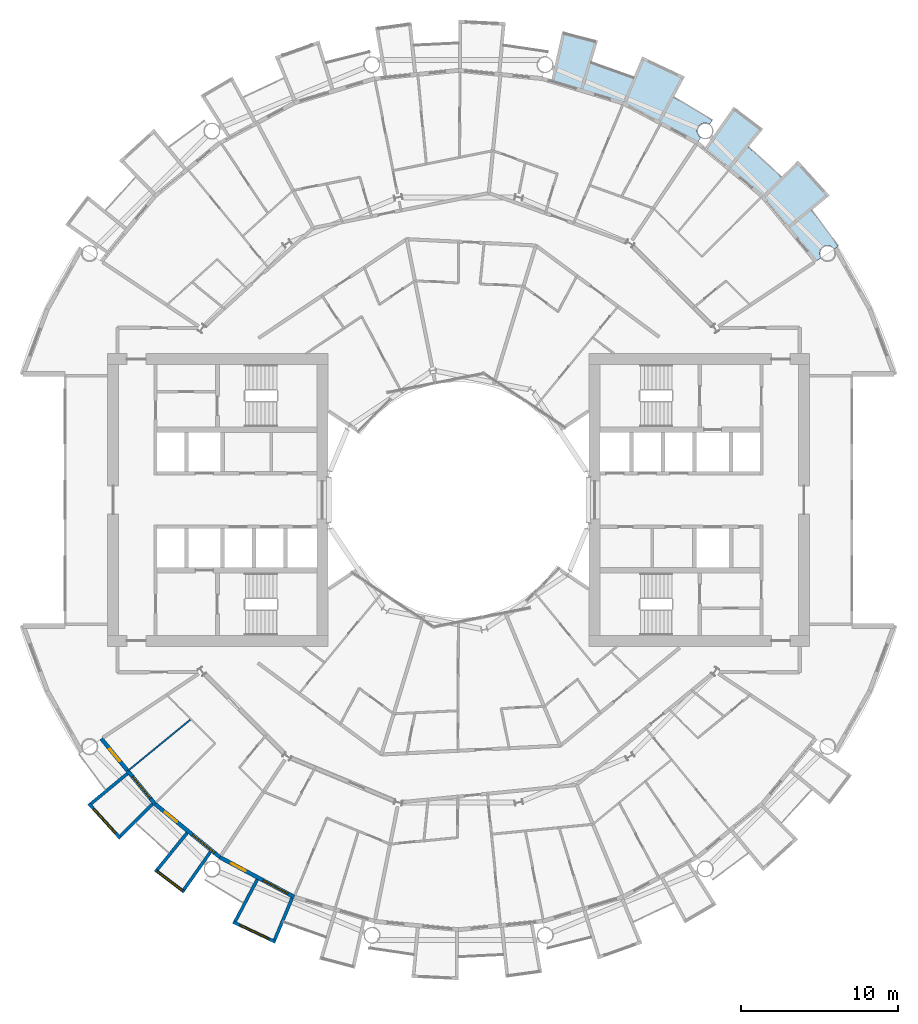
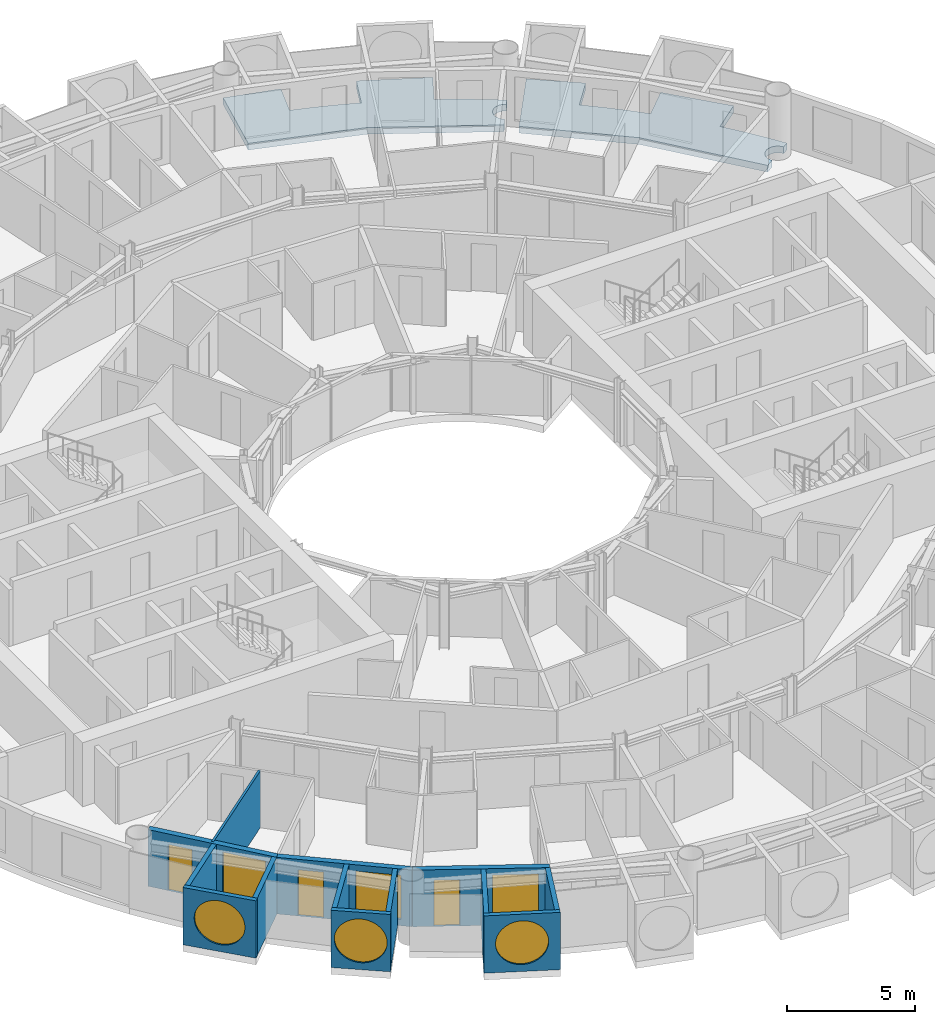
# One storey, part 12 of 26: 13 walls, 6 windows, 3 doors, 2 slabs, 9 openings.
"""IFC4 building model written with IfcOpenShell, lengths in metres."""

from ifc_helpers import new_model, si_unit, direction, frame, frame_2d, origin, place, context, subcontext, project, spatial, polyline, rectangle, circle, outline, extrude, material, layer, layer_set, type_object, element, fill, save


model = new_model("IFC4")

# Units and contexts
model_context = context("Model", 3, precision=1e-05, world=origin(), true_north=direction((0.0, 1.0)))
body_context = subcontext(model_context, "Body", "Model", "MODEL_VIEW")
ifc_project = project(units=[si_unit("LENGTHUNIT", "METRE"), si_unit("AREAUNIT", "SQUARE_METRE"), si_unit("VOLUMEUNIT", "CUBIC_METRE"), si_unit("PLANEANGLEUNIT", "RADIAN"), si_unit("MASSUNIT", "GRAM", prefix="KILO")], contexts=[model_context])

# Site, building, storey
site_placement = place(None, origin())
site = spatial("IfcSite", under=ifc_project, at=site_placement, CompositionType="ELEMENT")
building_placement = place(site_placement, origin())
building = spatial("IfcBuilding", under=site, at=building_placement, Name="Maasbend Ring Residences", CompositionType="ELEMENT")
storey_placement = place(building_placement, frame((0.0, 0.0, 63.60009765625)))
storey = spatial("IfcBuildingStorey", under=building, at=storey_placement, Name="L17", CompositionType="ELEMENT", Elevation=63.60009765625)

# Slabs
ifc_material_1 = material(Name="Concrete C40/50", Category="concrete")
ifc_layer_1 = layer(ifc_material_1, 0.199951171875)
ifc_layer_set_1 = layer_set([ifc_layer_1], Name="Concrete C40/50")
slab_type = type_object("IfcSlabType", Name="SL-LOGGIA", PredefinedType="FLOOR", material=ifc_layer_set_1)
slab_1_placement = place(storey_placement, frame((0.0, 0.0, -0.35009765625)))
element("IfcSlab", 1, at=slab_1_placement, inside=storey, type_object=slab_type, Name="Loggia floor 1", PredefinedType="FLOOR", context=body_context, shape_type="SweptSolid", body=[
    extrude(outline(polyline([(8.85400390625, 29.18701171875), (8.85400390625, 29.18701171875), (8.85400390625, 29.18701171875), (8.41796875, 27.751953125), (8.41796875, 27.751953125), (8.41796875, 27.751953125), (8.41796875, 27.751953125), (8.41796875, 27.751953125), (8.41796875, 27.751953125), (8.41796875, 27.7509765625), (8.41796875, 27.7509765625), (8.41796875, 27.7509765625), (8.41796875, 27.7509765625), (8.41796875, 27.7509765625), (8.4189453125, 27.7509765625), (8.4189453125, 27.7509765625), (8.4189453125, 27.7509765625), (8.4189453125, 27.7509765625), (8.4189453125, 27.7509765625), (8.4189453125, 27.7509765625), (9.322021484375, 27.4609375), (9.322021484375, 27.4609375), (10.215087890625, 27.14111328125), (10.215087890625, 27.14111328125), (11.096923828125, 26.79296875), (11.096923828125, 26.79296875), (11.096923828125, 26.79296875), (11.097900390625, 26.79296875), (11.097900390625, 26.79296875), (11.097900390625, 26.79296875), (11.097900390625, 26.79296875), (11.097900390625, 26.79296875), (11.097900390625, 26.79296875), (11.097900390625, 26.79296875), (11.097900390625, 26.79296875), (11.097900390625, 26.79296875), (11.097900390625, 26.79296875), (11.097900390625, 26.79296875), (11.097900390625, 26.79296875), (11.097900390625, 26.79296875), (11.097900390625, 26.79296875), (11.672119140625, 28.177978515625), (11.672119140625, 28.177978515625), (11.672119140625, 28.177978515625), (14.3779296875, 26.89892578125), (14.3779296875, 26.89892578125), (14.3779296875, 26.89892578125), (13.6708984375, 25.575927734375), (13.6708984375, 25.575927734375), (13.6708984375, 25.575927734375), (13.6708984375, 25.575927734375), (13.6708984375, 25.575927734375), (13.6708984375, 25.575927734375), (13.6708984375, 25.575927734375), (13.6708984375, 25.575927734375), (13.6708984375, 25.575927734375), (13.6708984375, 25.575927734375), (13.6708984375, 25.575927734375), (13.6708984375, 25.575927734375), (13.6708984375, 25.575927734375), (13.6708984375, 25.575927734375), (13.6708984375, 25.575927734375), (13.6708984375, 25.575927734375), (13.6708984375, 25.574951171875), (14.5, 25.114990234375), (14.5, 25.114990234375), (15.31396484375, 24.626953125), (15.31396484375, 24.626953125), (16.112060546875, 24.113037109375), (16.112060546875, 24.113037109375), (16.112060546875, 24.113037109375), (15.948974609375, 23.8701171875), (15.93896484375, 23.876953125), (15.927978515625, 23.883056640625), (15.9169921875, 23.888916015625), (15.906982421875, 23.89501953125), (15.89599609375, 23.90087890625), (15.884033203125, 23.906982421875), (15.873046875, 23.912109375), (15.862060546875, 23.9169921875), (15.85009765625, 23.9208984375), (15.837890625, 23.926025390625), (15.825927734375, 23.929931640625), (15.81494140625, 23.93408203125), (15.802978515625, 23.93701171875), (15.791015625, 23.93994140625), (15.778076171875, 23.943115234375), (15.76611328125, 23.946044921875), (15.75390625, 23.947998046875), (15.741943359375, 23.949951171875), (15.72900390625, 23.951904296875), (15.717041015625, 23.952880859375), (15.7041015625, 23.9541015625), (15.69189453125, 23.955078125), (15.679931640625, 23.955078125), (15.6669921875, 23.955078125), (15.655029296875, 23.955078125), (15.64208984375, 23.955078125), (15.6298828125, 23.9541015625), (15.616943359375, 23.952880859375), (15.60498046875, 23.951904296875), (15.593017578125, 23.949951171875), (15.580078125, 23.947998046875), (15.568115234375, 23.946044921875), (15.555908203125, 23.943115234375), (15.5439453125, 23.93994140625), (15.531982421875, 23.93701171875), (15.52001953125, 23.93408203125), (15.508056640625, 23.929931640625), (15.49609375, 23.926025390625), (15.48388671875, 23.9208984375), (15.472900390625, 23.9169921875), (15.4609375, 23.912109375), (15.449951171875, 23.906982421875), (15.43896484375, 23.90087890625), (15.427978515625, 23.89501953125), (15.4169921875, 23.888916015625), (15.406005859375, 23.883056640625), (15.39501953125, 23.876953125), (15.385009765625, 23.8701171875), (15.375, 23.863037109375), (15.364013671875, 23.85498046875), (15.35498046875, 23.847900390625), (15.344970703125, 23.840087890625), (15.3349609375, 23.83203125), (15.325927734375, 23.823974609375), (15.31689453125, 23.81494140625), (15.30810546875, 23.806884765625), (15.299072265625, 23.798095703125), (15.291015625, 23.7890625), (15.281982421875, 23.779052734375), (15.27392578125, 23.77001953125), (15.26708984375, 23.760009765625), (15.259033203125, 23.75), (15.251953125, 23.739990234375), (15.2451171875, 23.72998046875), (15.238037109375, 23.718994140625), (15.23095703125, 23.708984375), (15.22509765625, 23.697998046875), (15.218994140625, 23.68701171875), (15.212890625, 23.676025390625), (15.2080078125, 23.6650390625), (15.202880859375, 23.653076171875), (15.197998046875, 23.64208984375), (15.193115234375, 23.6298828125), (15.18896484375, 23.618896484375), (15.18505859375, 23.60693359375), (15.180908203125, 23.594970703125), (15.177978515625, 23.5830078125), (15.174072265625, 23.571044921875), (15.1708984375, 23.55908203125), (15.1689453125, 23.547119140625), (15.1669921875, 23.533935546875), (15.1650390625, 23.52197265625), (15.1630859375, 23.510009765625), (15.162109375, 23.4970703125), (15.159912109375, 23.485107421875), (15.159912109375, 23.471923828125), (15.158935546875, 23.4599609375), (15.158935546875, 23.447021484375), (15.158935546875, 23.43505859375), (15.159912109375, 23.422119140625), (15.159912109375, 23.409912109375), (15.162109375, 23.39794921875), (15.1630859375, 23.385009765625), (15.1650390625, 23.373046875), (15.1669921875, 23.361083984375), (15.1689453125, 23.347900390625), (15.1708984375, 23.3359375), (15.174072265625, 23.323974609375), (15.177978515625, 23.31201171875), (15.180908203125, 23.300048828125), (15.18505859375, 23.2880859375), (15.18896484375, 23.27587890625), (15.193115234375, 23.264892578125), (15.197998046875, 23.2529296875), (15.202880859375, 23.241943359375), (15.2080078125, 23.22998046875), (15.212890625, 23.218994140625), (15.218994140625, 23.2080078125), (15.22509765625, 23.197021484375), (15.23095703125, 23.18603515625), (15.238037109375, 23.176025390625), (15.2451171875, 23.1650390625), (15.251953125, 23.155029296875), (15.259033203125, 23.14501953125), (15.26708984375, 23.135009765625), (15.27392578125, 23.125), (15.281982421875, 23.115966796875), (15.291015625, 23.10595703125), (15.299072265625, 23.096923828125), (15.30810546875, 23.087890625), (15.31689453125, 23.0791015625), (15.325927734375, 23.071044921875), (15.3349609375, 23.06298828125), (15.344970703125, 23.054931640625), (15.35498046875, 23.047119140625), (15.364013671875, 23.0390625), (15.375, 23.031982421875), (15.385009765625, 23.02490234375), (15.1669921875, 22.698974609375), (15.1669921875, 22.698974609375), (15.1669921875, 22.698974609375), (12.806884765625, 23.9609375), (10.447021484375, 25.221923828125), (10.447021484375, 25.221923828125), (10.447021484375, 25.221923828125), (7.886962890625, 25.9990234375), (5.89111328125, 26.60400390625), (5.89111328125, 26.60400390625), (5.89111328125, 26.60400390625), (6.593994140625, 29.779052734375), (6.593994140625, 29.779052734375), (6.593994140625, 29.779052734375), (8.85400390625, 29.18701171875)])), origin(), (0.0, 0.0, 1.0), 0.320068359375),
])
slab_2_placement = place(storey_placement, frame((0.0, 0.0, -0.35009765625)))
element("IfcSlab", 2, at=slab_2_placement, inside=storey, type_object=slab_type, Name="Loggia floor 4", PredefinedType="FLOOR", context=body_context, shape_type="SweptSolid", body=[
    extrude(outline(polyline([(19.34912109375, 23.576904296875), (19.34912109375, 23.576904296875), (19.34912109375, 23.576904296875), (18.39794921875, 22.41796875), (18.39794921875, 22.41796875), (18.39794921875, 22.41796875), (18.39794921875, 22.41796875), (18.39794921875, 22.41796875), (18.39794921875, 22.4169921875), (18.39794921875, 22.4169921875), (18.39794921875, 22.4169921875), (18.39794921875, 22.4169921875), (18.39794921875, 22.4169921875), (18.39794921875, 22.4169921875), (18.39794921875, 22.4169921875), (18.39794921875, 22.4169921875), (18.39794921875, 22.4169921875), (18.39794921875, 22.4169921875), (18.39794921875, 22.4169921875), (18.39794921875, 22.4169921875), (19.12109375, 21.802978515625), (19.12109375, 21.802978515625), (19.823974609375, 21.166015625), (19.823974609375, 21.166015625), (20.506103515625, 20.506103515625), (20.506103515625, 20.506103515625), (20.506103515625, 20.506103515625), (20.506103515625, 20.506103515625), (20.506103515625, 20.506103515625), (20.506103515625, 20.506103515625), (20.506103515625, 20.506103515625), (20.506103515625, 20.506103515625), (20.506103515625, 20.506103515625), (20.506103515625, 20.506103515625), (20.506103515625, 20.506103515625), (20.506103515625, 20.506103515625), (20.506103515625, 20.506103515625), (20.506103515625, 20.506103515625), (20.506103515625, 20.506103515625), (20.506103515625, 20.506103515625), (20.506103515625, 20.506103515625), (21.56689453125, 21.56689453125), (21.56689453125, 21.56689453125), (21.56689453125, 21.56689453125), (23.576904296875, 19.34912109375), (23.576904296875, 19.34912109375), (23.576904296875, 19.34912109375), (22.41796875, 18.39794921875), (22.41796875, 18.39794921875), (22.41796875, 18.39794921875), (22.41796875, 18.39794921875), (22.41796875, 18.39794921875), (22.41796875, 18.39794921875), (22.41796875, 18.39697265625), (22.41796875, 18.39697265625), (22.41796875, 18.39697265625), (22.41796875, 18.39697265625), (22.41796875, 18.39697265625), (22.41796875, 18.39697265625), (22.41796875, 18.39697265625), (22.41796875, 18.39697265625), (22.41796875, 18.39697265625), (22.41796875, 18.39697265625), (22.41796875, 18.39697265625), (23.007080078125, 17.654052734375), (23.007080078125, 17.654052734375), (23.572998046875, 16.89208984375), (23.572998046875, 16.89208984375), (24.113037109375, 16.112060546875), (24.113037109375, 16.112060546875), (24.113037109375, 16.112060546875), (23.8701171875, 15.948974609375), (23.8701171875, 15.948974609375), (23.863037109375, 15.9599609375), (23.85498046875, 15.969970703125), (23.847900390625, 15.97998046875), (23.840087890625, 15.989013671875), (23.83203125, 15.9990234375), (23.823974609375, 16.008056640625), (23.81494140625, 16.01708984375), (23.806884765625, 16.02587890625), (23.798095703125, 16.034912109375), (23.7890625, 16.0439453125), (23.779052734375, 16.052001953125), (23.77001953125, 16.06005859375), (23.760009765625, 16.068115234375), (23.75, 16.074951171875), (23.739990234375, 16.08203125), (23.72998046875, 16.089111328125), (23.718994140625, 16.095947265625), (23.708984375, 16.10302734375), (23.697998046875, 16.10888671875), (23.68701171875, 16.114990234375), (23.676025390625, 16.12109375), (23.6650390625, 16.1259765625), (23.653076171875, 16.132080078125), (23.64208984375, 16.135986328125), (23.6298828125, 16.14111328125), (23.618896484375, 16.14501953125), (23.60693359375, 16.14892578125), (23.594970703125, 16.153076171875), (23.5830078125, 16.156982421875), (23.571044921875, 16.159912109375), (23.55908203125, 16.1630859375), (23.547119140625, 16.1650390625), (23.533935546875, 16.16796875), (23.52197265625, 16.169921875), (23.510009765625, 16.1708984375), (23.4970703125, 16.173095703125), (23.485107421875, 16.174072265625), (23.471923828125, 16.174072265625), (23.4599609375, 16.175048828125), (23.447021484375, 16.175048828125), (23.43505859375, 16.175048828125), (23.422119140625, 16.174072265625), (23.409912109375, 16.174072265625), (23.39794921875, 16.173095703125), (23.385009765625, 16.1708984375), (23.373046875, 16.169921875), (23.361083984375, 16.16796875), (23.347900390625, 16.1650390625), (23.3359375, 16.1630859375), (23.323974609375, 16.159912109375), (23.31201171875, 16.156982421875), (23.300048828125, 16.153076171875), (23.2880859375, 16.14892578125), (23.27587890625, 16.14501953125), (23.264892578125, 16.14111328125), (23.2529296875, 16.135986328125), (23.241943359375, 16.132080078125), (23.22998046875, 16.1259765625), (23.218994140625, 16.12109375), (23.2080078125, 16.114990234375), (23.197021484375, 16.10888671875), (23.18603515625, 16.10302734375), (23.176025390625, 16.095947265625), (23.1650390625, 16.089111328125), (23.155029296875, 16.08203125), (23.14501953125, 16.074951171875), (23.135009765625, 16.068115234375), (23.125, 16.06005859375), (23.115966796875, 16.052001953125), (23.10595703125, 16.0439453125), (23.096923828125, 16.034912109375), (23.087890625, 16.02587890625), (23.0791015625, 16.01708984375), (23.071044921875, 16.008056640625), (23.06298828125, 15.9990234375), (23.054931640625, 15.989013671875), (23.047119140625, 15.97998046875), (23.0390625, 15.969970703125), (23.031982421875, 15.9599609375), (23.02490234375, 15.948974609375), (23.01806640625, 15.93896484375), (23.011962890625, 15.927978515625), (23.0048828125, 15.9169921875), (22.9990234375, 15.906982421875), (22.993896484375, 15.89599609375), (22.988037109375, 15.884033203125), (22.98291015625, 15.873046875), (22.97802734375, 15.862060546875), (22.972900390625, 15.85009765625), (22.968994140625, 15.837890625), (22.965087890625, 15.825927734375), (22.9609375, 15.81494140625), (22.9580078125, 15.802978515625), (22.955078125, 15.791015625), (22.951904296875, 15.778076171875), (22.948974609375, 15.76611328125), (22.947021484375, 15.75390625), (22.945068359375, 15.741943359375), (22.943115234375, 15.72900390625), (22.94189453125, 15.717041015625), (22.94091796875, 15.7041015625), (22.93994140625, 15.69189453125), (22.93994140625, 15.679931640625), (22.93896484375, 15.6669921875), (22.93994140625, 15.655029296875), (22.93994140625, 15.64208984375), (22.94091796875, 15.6298828125), (22.94189453125, 15.616943359375), (22.943115234375, 15.60498046875), (22.945068359375, 15.593017578125), (22.947021484375, 15.580078125), (22.948974609375, 15.568115234375), (22.951904296875, 15.555908203125), (22.955078125, 15.5439453125), (22.9580078125, 15.531982421875), (22.9609375, 15.52001953125), (22.965087890625, 15.508056640625), (22.968994140625, 15.49609375), (22.972900390625, 15.48388671875), (22.97802734375, 15.472900390625), (22.98291015625, 15.4609375), (22.988037109375, 15.449951171875), (22.993896484375, 15.43896484375), (22.9990234375, 15.427978515625), (23.0048828125, 15.4169921875), (23.011962890625, 15.406005859375), (23.01806640625, 15.39501953125), (23.02490234375, 15.385009765625), (23.02490234375, 15.385009765625), (22.698974609375, 15.1669921875), (22.698974609375, 15.1669921875), (22.698974609375, 15.1669921875), (21.001953125, 17.236083984375), (19.303955078125, 19.303955078125), (19.303955078125, 19.303955078125), (19.303955078125, 19.303955078125), (17.236083984375, 21.001953125), (15.623046875, 22.324951171875), (15.623046875, 22.324951171875), (15.623046875, 22.324951171875), (17.488037109375, 24.989013671875), (17.488037109375, 24.989013671875), (17.488037109375, 24.989013671875), (19.34912109375, 23.576904296875)])), origin(), (0.0, 0.0, 1.0), 0.320068359375),
])

# Wall, opening, window
ifc_material_2 = material(Name="Pale anodised aluminium panel", Category="aluminium")
ifc_layer_2 = layer(ifc_material_2, 0.199951171875)
ifc_layer_set_2 = layer_set([ifc_layer_2], Name="EW-BOX")
wall_type_1 = type_object("IfcWallType", Name="EW-BOX", PredefinedType="SOLIDWALL", material=ifc_layer_set_2)
wall_1_placement = place(storey_placement, frame((-23.5029296875, -19.281982421875, -0.030029296875), z_axis=(0.0, 0.0, 1.0), x_axis=(0.671506829416, -0.740998365753, 0.0)))
wall_1 = element("IfcWall", 3, at=wall_1_placement, inside=storey, type_object=wall_type_1, Name="Box front S02", PredefinedType="SOLIDWALL", context=body_context, shape_type="SweptSolid", body=[
    extrude(rectangle(XDim=2.9931640625, YDim=0.199951171875, at=frame_2d((1.49658203125, 0.0))), origin(), (0.0, 0.0, 1.0), 2.72998046875),
])
opening_1_placement = place(wall_1_placement, frame((0.45654296875, 0.0, 0.330078125)))
opening_1 = element("IfcOpeningElement", 4, at=opening_1_placement, cuts=wall_1, Name="Opening W-RD", PredefinedType="OPENING", context=body_context, shape_type="SweptSolid", body=[
    extrude(circle(Radius=1.0400390625, at=frame_2d((1.0400390625, 1.0400390625))), frame((0.0, 0.10986328125, 0.0), z_axis=(0.0, -1.0, 0.0), x_axis=(1.0, 0.0, 0.0)), (0.0, 0.0, 1.0), 0.219970703125),
])
ifc_material_3 = material(Name="Aluminium and clear glass", Category="aluminium")
window_type_1 = type_object("IfcWindowType", Name="W-RD", PartitioningType="SINGLE_PANEL", PredefinedType="WINDOW", material=ifc_material_3)
window_1_placement = place(opening_1_placement, origin())
window_1 = element("IfcWindow", 5, at=window_1_placement, inside=storey, type_object=window_type_1, Name="Round window S02", OverallHeight=2.080078125, OverallWidth=2.080078125, PartitioningType="SINGLE_PANEL", PredefinedType="WINDOW", context=body_context, shape_type="SweptSolid", body=[
    extrude(circle(Radius=1.0400390625, at=frame_2d((1.0400390625, 1.0400390625))), frame((0.0, 0.030029296875, 0.0), z_axis=(0.0, -1.0, 0.0), x_axis=(1.0, 0.0, 0.0)), (0.0, 0.0, 1.0), 0.06005859375),
])
fill(opening_1, window_1)

# Walls
wall_2_placement = place(storey_placement, frame((-21.041015625, -17.384033203125, -0.030029296875), z_axis=(0.0, 0.0, 1.0), x_axis=(-0.770784861449, -0.63709551667, 0.0)))
element("IfcWall", 6, at=wall_2_placement, inside=storey, type_object=wall_type_1, Name="Box side wall S02 left", PredefinedType="SOLIDWALL", context=body_context, shape_type="SweptSolid", body=[
    extrude(rectangle(XDim=3.005859375, YDim=0.199951171875, at=frame_2d((1.5029296875, 0.0))), origin(), (0.0, 0.0, 1.0), 2.72998046875),
])
wall_3_placement = place(storey_placement, frame((-19.449951171875, -19.322998046875, -0.030029296875), z_axis=(0.0, 0.0, 1.0), x_axis=(-0.709727076896, -0.704476739375, 0.0)))
element("IfcWall", 7, at=wall_3_placement, inside=storey, type_object=wall_type_1, Name="Box side wall S02 right", PredefinedType="SOLIDWALL", context=body_context, shape_type="SweptSolid", body=[
    extrude(rectangle(XDim=2.883056640625, YDim=0.199951171875, at=frame_2d((1.44140625, 0.0))), origin(), (0.0, 0.0, 1.0), 2.72998046875),
])

# Wall, opening, window
wall_4_placement = place(storey_placement, frame((-19.2890625, -23.4970703125, -0.030029296875), z_axis=(0.0, 0.0, 1.0), x_axis=(0.796842165306, -0.60418752353, 0.0)))
wall_4 = element("IfcWall", 8, at=wall_4_placement, inside=storey, type_object=wall_type_1, Name="Box front S04", PredefinedType="SOLIDWALL", context=body_context, shape_type="SweptSolid", body=[
    extrude(rectangle(XDim=2.3369140625, YDim=0.199951171875, at=frame_2d((1.16845703125, 0.0))), origin(), (0.0, 0.0, 1.0), 2.72998046875),
])
opening_2_placement = place(wall_4_placement, frame((0.128173828125, 0.0, 0.330078125)))
opening_2 = element("IfcOpeningElement", 9, at=opening_2_placement, cuts=wall_4, Name="Opening W-RD", PredefinedType="OPENING", context=body_context, shape_type="SweptSolid", body=[
    extrude(circle(Radius=1.0400390625, at=frame_2d((1.0400390625, 1.0400390625))), frame((0.0, 0.10986328125, 0.0), z_axis=(0.0, -1.0, 0.0), x_axis=(1.0, 0.0, 0.0)), (0.0, 0.0, 1.0), 0.219970703125),
])
window_2_placement = place(opening_2_placement, origin())
window_2 = element("IfcWindow", 10, at=window_2_placement, inside=storey, type_object=window_type_1, Name="Round window S04", OverallHeight=2.080078125, OverallWidth=2.080078125, PartitioningType="SINGLE_PANEL", PredefinedType="WINDOW", context=body_context, shape_type="SweptSolid", body=[
    extrude(circle(Radius=1.0400390625, at=frame_2d((1.0400390625, 1.0400390625))), frame((0.0, 0.030029296875, 0.0), z_axis=(0.0, -1.0, 0.0), x_axis=(1.0, 0.0, 0.0)), (0.0, 0.0, 1.0), 0.06005859375),
])
fill(opening_2, window_2)

# Walls
wall_5_placement = place(storey_placement, frame((-17.24609375, -21.155029296875, -0.030029296875), z_axis=(0.0, 0.0, 1.0), x_axis=(-0.631741648902, -0.775179004516, 0.0)))
element("IfcWall", 11, at=wall_5_placement, inside=storey, type_object=wall_type_1, Name="Box side wall S04 left", PredefinedType="SOLIDWALL", context=body_context, shape_type="SweptSolid", body=[
    extrude(rectangle(XDim=3.005859375, YDim=0.199951171875, at=frame_2d((1.5029296875, 0.0))), origin(), (0.0, 0.0, 1.0), 2.72998046875),
])
wall_6_placement = place(storey_placement, frame((-15.764892578125, -22.3701171875, -0.030029296875), z_axis=(0.0, 0.0, 1.0), x_axis=(-0.576274612209, -0.817256123454, 0.0)))
element("IfcWall", 12, at=wall_6_placement, inside=storey, type_object=wall_type_1, Name="Box side wall S04 right", PredefinedType="SOLIDWALL", context=body_context, shape_type="SweptSolid", body=[
    extrude(rectangle(XDim=2.932861328125, YDim=0.199951171875, at=frame_2d((1.46630859375, 0.0))), origin(), (0.0, 0.0, 1.0), 2.72998046875),
])

# Wall, opening, window
wall_7_placement = place(storey_placement, frame((-14.3349609375, -26.80810546875, -0.030029296875), z_axis=(0.0, 0.0, 1.0), x_axis=(0.904000060331, -0.427532327342, 0.0)))
wall_7 = element("IfcWall", 13, at=wall_7_placement, inside=storey, type_object=wall_type_1, Name="Box front S06", PredefinedType="SOLIDWALL", context=body_context, shape_type="SweptSolid", body=[
    extrude(rectangle(XDim=2.993408203125, YDim=0.199951171875, at=frame_2d((1.49658203125, 0.0))), origin(), (0.0, 0.0, 1.0), 2.72998046875),
])
opening_3_placement = place(wall_7_placement, frame((0.45654296875, 0.0, 0.330078125)))
opening_3 = element("IfcOpeningElement", 14, at=opening_3_placement, cuts=wall_7, Name="Opening W-RD", PredefinedType="OPENING", context=body_context, shape_type="SweptSolid", body=[
    extrude(circle(Radius=1.0400390625, at=frame_2d((1.0400390625, 1.0400390625))), frame((0.0, 0.10986328125, 0.0), z_axis=(0.0, -1.0, 0.0), x_axis=(1.0, 0.0, 0.0)), (0.0, 0.0, 1.0), 0.219970703125),
])
window_3_placement = place(opening_3_placement, origin())
window_3 = element("IfcWindow", 15, at=window_3_placement, inside=storey, type_object=window_type_1, Name="Round window S06", OverallHeight=2.080078125, OverallWidth=2.080078125, PartitioningType="SINGLE_PANEL", PredefinedType="WINDOW", context=body_context, shape_type="SweptSolid", body=[
    extrude(circle(Radius=1.0400390625, at=frame_2d((1.0400390625, 1.0400390625))), frame((0.0, 0.030029296875, 0.0), z_axis=(0.0, -1.0, 0.0), x_axis=(1.0, 0.0, 0.0)), (0.0, 0.0, 1.0), 0.06005859375),
])
fill(opening_3, window_3)

# Walls
wall_8_placement = place(storey_placement, frame((-12.787109375, -24.113037109375, -0.030029296875), z_axis=(0.0, 0.0, 1.0), x_axis=(-0.468365282436, -0.883534924159, 0.0)))
element("IfcWall", 16, at=wall_8_placement, inside=storey, type_object=wall_type_1, Name="Box side wall S06 left", PredefinedType="SOLIDWALL", context=body_context, shape_type="SweptSolid", body=[
    extrude(rectangle(XDim=3.006103515625, YDim=0.199951171875, at=frame_2d((1.5029296875, 0.0))), origin(), (0.0, 0.0, 1.0), 2.72998046875),
])
wall_9_placement = place(storey_placement, frame((-10.574951171875, -25.294921875, -0.030029296875), z_axis=(0.0, 0.0, 1.0), x_axis=(-0.385697364644, -0.922625353492, 0.0)))
element("IfcWall", 17, at=wall_9_placement, inside=storey, type_object=wall_type_1, Name="Box side wall S06 right", PredefinedType="SOLIDWALL", context=body_context, shape_type="SweptSolid", body=[
    extrude(rectangle(XDim=2.88330078125, YDim=0.199951171875, at=frame_2d((1.441650390625, 0.0))), origin(), (0.0, 0.0, 1.0), 2.72998046875),
])

# Wall, openings, door, window
ifc_material_4 = material(Name="Aluminium clad insulated panel", Category="aluminium")
ifc_layer_3 = layer(ifc_material_4, 0.25)
ifc_layer_set_3 = layer_set([ifc_layer_3], Name="EW-GL")
wall_type_2 = type_object("IfcWallType", Name="EW-GL", PredefinedType="SOLIDWALL", material=ifc_layer_set_3)
wall_10_placement = place(storey_placement, frame((-22.698974609375, -15.1669921875, 0.0), z_axis=(0.0, 0.0, 1.0), x_axis=(0.634382322723, -0.773019449054, 0.0)))
wall_10 = element("IfcWall", 18, at=wall_10_placement, inside=storey, type_object=wall_type_2, Name="External wall S01", PredefinedType="SOLIDWALL", context=body_context, shape_type="SweptSolid", body=[
    extrude(rectangle(XDim=5.351806640625, YDim=0.25, at=frame_2d((2.67578125, 0.0))), origin(), (0.0, 0.0, 1.0), 2.699951171875),
])
opening_4_placement = place(wall_10_placement, frame((0.841064453125, 0.0, 0.0)))
opening_4 = element("IfcOpeningElement", 19, at=opening_4_placement, cuts=wall_10, Name="Opening D-LG", PredefinedType="OPENING", context=body_context, shape_type="SweptSolid", body=[
    extrude(rectangle(XDim=1.0, YDim=2.199951171875, at=frame_2d((0.5, 1.10009765625))), frame((0.0, 0.135009765625, 0.0), z_axis=(0.0, -1.0, 0.0), x_axis=(1.0, 0.0, 0.0)), (0.0, 0.0, 1.0), 0.27001953125),
])
opening_5_placement = place(wall_10_placement, frame((3.110595703125, 0.0, 0.300048828125)))
opening_5 = element("IfcOpeningElement", 20, at=opening_5_placement, cuts=wall_10, Name="Opening W-BX", PredefinedType="OPENING", context=body_context, shape_type="SweptSolid", body=[
    extrude(rectangle(XDim=1.800048828125, YDim=2.10009765625, at=frame_2d((0.89990234375, 1.050048828125))), frame((0.0, 0.135009765625, 0.0), z_axis=(0.0, -1.0, 0.0), x_axis=(1.0, 0.0, 0.0)), (0.0, 0.0, 1.0), 0.27001953125),
])
ifc_material_5 = material(Name="Aluminium and clear glass", Category="aluminium")
door_type = type_object("IfcDoorType", Name="D-LG", OperationType="SINGLE_SWING_LEFT", PredefinedType="DOOR", material=ifc_material_5)
door_1_placement = place(opening_4_placement, origin())
door_1 = element("IfcDoor", 21, at=door_1_placement, inside=storey, type_object=door_type, Name="Loggia door S01", OperationType="SINGLE_SWING_LEFT", OverallHeight=2.199951171875, OverallWidth=1.0, PredefinedType="DOOR", context=body_context, shape_type="SweptSolid", body=[
    extrude(rectangle(XDim=1.0, YDim=2.199951171875, at=frame_2d((0.5, 1.10009765625))), frame((0.0, 0.02490234375, 0.0), z_axis=(0.0, -1.0, 0.0), x_axis=(1.0, 0.0, 0.0)), (0.0, 0.0, 1.0), 0.050048828125),
])
fill(opening_4, door_1)
ifc_material_6 = material(Name="Aluminium and clear glass", Category="aluminium")
window_type_2 = type_object("IfcWindowType", Name="W-BX", PartitioningType="DOUBLE_PANEL_VERTICAL", PredefinedType="WINDOW", material=ifc_material_6)
window_4_placement = place(opening_5_placement, origin())
window_4 = element("IfcWindow", 22, at=window_4_placement, inside=storey, type_object=window_type_2, Name="Window S02 room to box", OverallHeight=2.10009765625, OverallWidth=1.800048828125, PartitioningType="SINGLE_PANEL", PredefinedType="WINDOW", context=body_context, shape_type="SweptSolid", body=[
    extrude(rectangle(XDim=1.800048828125, YDim=2.10009765625, at=frame_2d((0.89990234375, 1.050048828125))), frame((0.0, 0.030029296875, 0.0), z_axis=(0.0, -1.0, 0.0), x_axis=(1.0, 0.0, 0.0)), (0.0, 0.0, 1.0), 0.06005859375),
])
fill(opening_5, window_4)

wall_11_placement = place(storey_placement, frame((-19.303955078125, -19.303955078125, 0.0), z_axis=(0.0, 0.0, 1.0), x_axis=(0.773019449054, -0.634382322723, 0.0)))
wall_11 = element("IfcWall", 23, at=wall_11_placement, inside=storey, type_object=wall_type_2, Name="External wall S02", PredefinedType="SOLIDWALL", context=body_context, shape_type="SweptSolid", body=[
    extrude(rectangle(XDim=5.351806640625, YDim=0.25, at=frame_2d((2.67578125, 0.0))), origin(), (0.0, 0.0, 1.0), 2.699951171875),
])
opening_6_placement = place(wall_11_placement, frame((0.841064453125, 0.0, 0.0)))
opening_6 = element("IfcOpeningElement", 24, at=opening_6_placement, cuts=wall_11, Name="Opening D-LG", PredefinedType="OPENING", context=body_context, shape_type="SweptSolid", body=[
    extrude(rectangle(XDim=1.0, YDim=2.199951171875, at=frame_2d((0.5, 1.10009765625))), frame((0.0, 0.135009765625, 0.0), z_axis=(0.0, -1.0, 0.0), x_axis=(1.0, 0.0, 0.0)), (0.0, 0.0, 1.0), 0.27001953125),
])
opening_7_placement = place(wall_11_placement, frame((3.110595703125, 0.0, 0.300048828125)))
opening_7 = element("IfcOpeningElement", 25, at=opening_7_placement, cuts=wall_11, Name="Opening W-BX", PredefinedType="OPENING", context=body_context, shape_type="SweptSolid", body=[
    extrude(rectangle(XDim=1.800048828125, YDim=2.10009765625, at=frame_2d((0.89990234375, 1.050048828125))), frame((0.0, 0.135009765625, 0.0), z_axis=(0.0, -1.0, 0.0), x_axis=(1.0, 0.0, 0.0)), (0.0, 0.0, 1.0), 0.27001953125),
])
door_2_placement = place(opening_6_placement, origin())
door_2 = element("IfcDoor", 26, at=door_2_placement, inside=storey, type_object=door_type, Name="Loggia door S03", OperationType="SINGLE_SWING_LEFT", OverallHeight=2.199951171875, OverallWidth=1.0, PredefinedType="DOOR", context=body_context, shape_type="SweptSolid", body=[
    extrude(rectangle(XDim=1.0, YDim=2.199951171875, at=frame_2d((0.5, 1.10009765625))), frame((0.0, 0.02490234375, 0.0), z_axis=(0.0, -1.0, 0.0), x_axis=(1.0, 0.0, 0.0)), (0.0, 0.0, 1.0), 0.050048828125),
])
fill(opening_6, door_2)
window_5_placement = place(opening_7_placement, origin())
window_5 = element("IfcWindow", 27, at=window_5_placement, inside=storey, type_object=window_type_2, Name="Window S04 room to box", OverallHeight=2.10009765625, OverallWidth=1.800048828125, PartitioningType="SINGLE_PANEL", PredefinedType="WINDOW", context=body_context, shape_type="SweptSolid", body=[
    extrude(rectangle(XDim=1.800048828125, YDim=2.10009765625, at=frame_2d((0.89990234375, 1.050048828125))), frame((0.0, 0.030029296875, 0.0), z_axis=(0.0, -1.0, 0.0), x_axis=(1.0, 0.0, 0.0)), (0.0, 0.0, 1.0), 0.06005859375),
])
fill(opening_7, window_5)

wall_12_placement = place(storey_placement, frame((-15.1669921875, -22.698974609375, 0.0), z_axis=(0.0, 0.0, 1.0), x_axis=(0.881915646801, -0.471407246368, 0.0)))
wall_12 = element("IfcWall", 28, at=wall_12_placement, inside=storey, type_object=wall_type_2, Name="External wall S03", PredefinedType="SOLIDWALL", context=body_context, shape_type="SweptSolid", body=[
    extrude(rectangle(XDim=5.35205078125, YDim=0.25, at=frame_2d((2.676025390625, 0.0))), origin(), (0.0, 0.0, 1.0), 2.699951171875),
])
opening_8_placement = place(wall_12_placement, frame((0.841064453125, 0.0, 0.0)))
opening_8 = element("IfcOpeningElement", 29, at=opening_8_placement, cuts=wall_12, Name="Opening D-LG", PredefinedType="OPENING", context=body_context, shape_type="SweptSolid", body=[
    extrude(rectangle(XDim=1.0, YDim=2.199951171875, at=frame_2d((0.5, 1.10009765625))), frame((0.0, 0.135009765625, 0.0), z_axis=(0.0, -1.0, 0.0), x_axis=(1.0, 0.0, 0.0)), (0.0, 0.0, 1.0), 0.27001953125),
])
opening_9_placement = place(wall_12_placement, frame((3.110595703125, 0.0, 0.300048828125)))
opening_9 = element("IfcOpeningElement", 30, at=opening_9_placement, cuts=wall_12, Name="Opening W-BX", PredefinedType="OPENING", context=body_context, shape_type="SweptSolid", body=[
    extrude(rectangle(XDim=1.800048828125, YDim=2.10009765625, at=frame_2d((0.89990234375, 1.050048828125))), frame((0.0, 0.135009765625, 0.0), z_axis=(0.0, -1.0, 0.0), x_axis=(1.0, 0.0, 0.0)), (0.0, 0.0, 1.0), 0.27001953125),
])
door_3_placement = place(opening_8_placement, origin())
door_3 = element("IfcDoor", 31, at=door_3_placement, inside=storey, type_object=door_type, Name="Loggia door S05", OperationType="SINGLE_SWING_LEFT", OverallHeight=2.199951171875, OverallWidth=1.0, PredefinedType="DOOR", context=body_context, shape_type="SweptSolid", body=[
    extrude(rectangle(XDim=1.0, YDim=2.199951171875, at=frame_2d((0.5, 1.10009765625))), frame((0.0, 0.02490234375, 0.0), z_axis=(0.0, -1.0, 0.0), x_axis=(1.0, 0.0, 0.0)), (0.0, 0.0, 1.0), 0.050048828125),
])
fill(opening_8, door_3)
window_6_placement = place(opening_9_placement, origin())
window_6 = element("IfcWindow", 32, at=window_6_placement, inside=storey, type_object=window_type_2, Name="Window S06 room to box", OverallHeight=2.10009765625, OverallWidth=1.800048828125, PartitioningType="SINGLE_PANEL", PredefinedType="WINDOW", context=body_context, shape_type="SweptSolid", body=[
    extrude(rectangle(XDim=1.800048828125, YDim=2.10009765625, at=frame_2d((0.89990234375, 1.050048828125))), frame((0.0, 0.030029296875, 0.0), z_axis=(0.0, -1.0, 0.0), x_axis=(1.0, 0.0, 0.0)), (0.0, 0.0, 1.0), 0.06005859375),
])
fill(opening_9, window_6)

# Wall
ifc_material_7 = material(Name="Gypsum board on steel studs", Category="steel")
ifc_layer_4 = layer(ifc_material_7, 0.10009765625)
ifc_layer_set_4 = layer_set([ifc_layer_4], Name="PARTITION 100 GYPSUM")
wall_type_3 = type_object("IfcWallType", Name="PARTITION 100 GYPSUM", PredefinedType="PARTITIONING", material=ifc_layer_set_4)
wall_13_placement = place(storey_placement, frame((-21.02294921875, -17.219970703125, 0.0), z_axis=(0.0, 0.0, 1.0), x_axis=(0.773517471898, 0.633774976367, 0.0)))
element("IfcWall", 33, at=wall_13_placement, inside=storey, type_object=wall_type_3, Name="U-L17-w031", PredefinedType="PARTITIONING", context=body_context, shape_type="SweptSolid", body=[
    extrude(rectangle(XDim=5.19580078125, YDim=0.10009765625, at=frame_2d((2.597900390625, 0.0))), origin(), (0.0, 0.0, 1.0), 2.699951171875),
])

save(model, "model.ifc")
